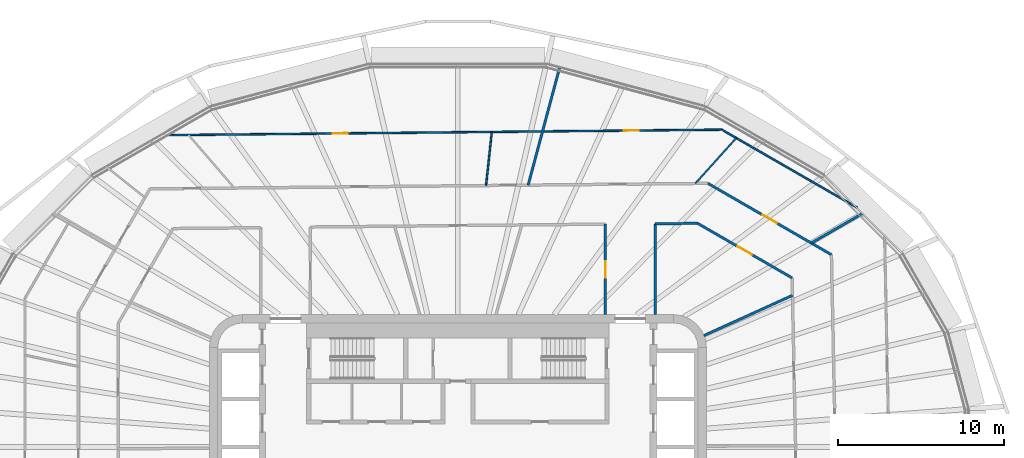
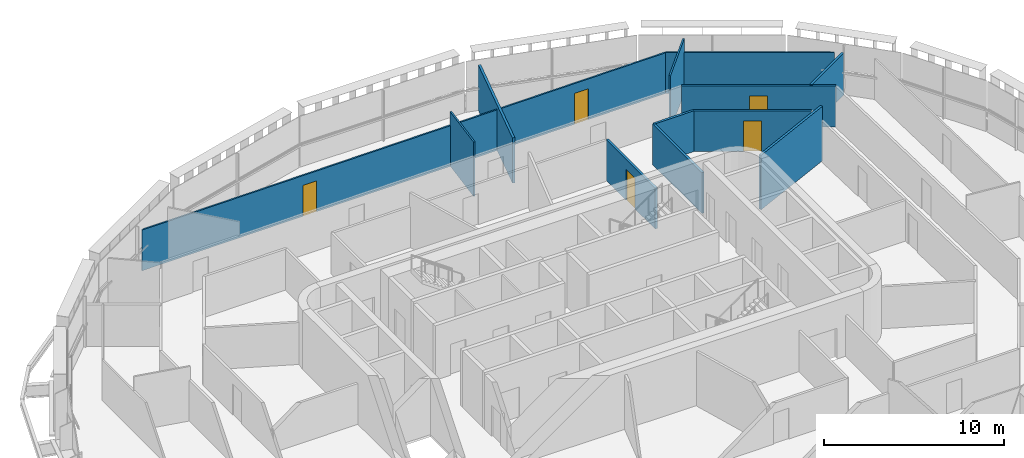
# One storey, part 15 of 23: 12 walls, 5 doors, 5 openings.
"""IFC4 building model written with IfcOpenShell, lengths in metres."""

from ifc_helpers import new_model, si_unit, direction, frame, frame_2d, origin, place, context, subcontext, project, spatial, rectangle, extrude, material, layer, layer_set, type_object, element, fill, save


model = new_model("IFC4")

# Units and contexts
model_context = context("Model", 3, precision=1e-05, world=origin(), true_north=direction((0.0, 1.0)))
body_context = subcontext(model_context, "Body", "Model", "MODEL_VIEW")
ifc_project = project(units=[si_unit("LENGTHUNIT", "METRE"), si_unit("AREAUNIT", "SQUARE_METRE"), si_unit("VOLUMEUNIT", "CUBIC_METRE"), si_unit("PLANEANGLEUNIT", "RADIAN"), si_unit("MASSUNIT", "GRAM", prefix="KILO")], contexts=[model_context])

# Site, building, storey
site_placement = place(None, origin())
site = spatial("IfcSite", under=ifc_project, at=site_placement, CompositionType="ELEMENT")
building_placement = place(site_placement, origin())
building = spatial("IfcBuilding", under=site, at=building_placement, Name="Sahrelin Media Tower", CompositionType="ELEMENT")
storey_placement = place(building_placement, frame((0.0, 0.0, 185.60009765625)))
storey = spatial("IfcBuildingStorey", under=building, at=storey_placement, Name="L39", CompositionType="ELEMENT", Elevation=185.60009765625)

# Wall, opening, door
ifc_material_1 = material(Name="Fire-rated gypsum board partition")
ifc_layer_1 = layer(ifc_material_1, 0.14990234375)
ifc_layer_set_1 = layer_set([ifc_layer_1], Name="Fire-rated partition 150")
wall_type_1 = type_object("IfcWallType", Name="Fire-rated partition 150", PredefinedType="PARTITIONING", material=ifc_layer_set_1)
wall_1_placement = place(storey_placement, frame((14.447998046875, 13.514892578125, 0.0), z_axis=(0.0, 0.0, 1.0), x_axis=(0.866032288321, -0.499988075443, 0.0)))
wall_1 = element("IfcWall", 1, at=wall_1_placement, inside=storey, type_object=wall_type_1, Name="Wall", PredefinedType="PARTITIONING", context=body_context, shape_type="SweptSolid", body=[
    extrude(rectangle(XDim=6.603759765625, YDim=0.14990234375, at=frame_2d((3.3017578125, 0.0))), origin(), (0.0, 0.0, 1.0), 2.77685546875),
])
opening_1_placement = place(wall_1_placement, frame((2.801513671875, 0.0, 0.0)))
opening_1 = element("IfcOpeningElement", 2, at=opening_1_placement, cuts=wall_1, Name="Opening L39-D27", PredefinedType="OPENING", context=body_context, shape_type="SweptSolid", body=[
    extrude(rectangle(XDim=1.0, YDim=2.10009765625, at=frame_2d((0.5, 1.050048828125))), frame((0.0, 0.074951171875, 0.0), z_axis=(0.0, -1.0, 0.0), x_axis=(1.0, 0.0, 0.0)), (0.0, 0.0, 1.0), 0.14990234375),
])
ifc_material_2 = material(Name="Steel fire door leaf", Category="steel")
door_type_1 = type_object("IfcDoorType", Name="Fire door 1000 x 2100 EI 60", OperationType="NOTDEFINED", PredefinedType="DOOR", material=ifc_material_2)
door_1_placement = place(opening_1_placement, origin())
door_1 = element("IfcDoor", 3, at=door_1_placement, inside=storey, type_object=door_type_1, Name="Fire door", OperationType="SINGLE_SWING_RIGHT", OverallHeight=2.10009765625, OverallWidth=1.0, PredefinedType="DOOR", context=body_context, shape_type="SweptSolid", body=[
    extrude(rectangle(XDim=1.0, YDim=2.10009765625, at=frame_2d((0.5, 1.050048828125))), frame((0.0, 0.02490234375, 0.0), z_axis=(0.0, -1.0, 0.0), x_axis=(1.0, 0.0, 0.0)), (0.0, 0.0, 1.0), 0.050048828125),
])
fill(opening_1, door_1)

wall_2_placement = place(storey_placement, frame((15.080078125, 15.921142578125, 0.0), z_axis=(0.0, 0.0, 1.0), x_axis=(0.866020838546, -0.500007907142, 0.0)))
wall_2 = element("IfcWall", 4, at=wall_2_placement, inside=storey, type_object=wall_type_1, Name="Wall", PredefinedType="PARTITIONING", context=body_context, shape_type="SweptSolid", body=[
    extrude(rectangle(XDim=8.612548828125, YDim=0.14990234375, at=frame_2d((4.30615234375, 0.0))), origin(), (0.0, 0.0, 1.0), 2.77685546875),
])
opening_2_placement = place(wall_2_placement, frame((3.807861328125, 0.0, 0.0)))
opening_2 = element("IfcOpeningElement", 5, at=opening_2_placement, cuts=wall_2, Name="Opening L39-D38", PredefinedType="OPENING", context=body_context, shape_type="SweptSolid", body=[
    extrude(rectangle(XDim=1.0, YDim=2.10009765625, at=frame_2d((0.5, 1.050048828125))), frame((0.0, 0.074951171875, 0.0), z_axis=(0.0, -1.0, 0.0), x_axis=(1.0, 0.0, 0.0)), (0.0, 0.0, 1.0), 0.14990234375),
])
door_2_placement = place(opening_2_placement, origin())
door_2 = element("IfcDoor", 6, at=door_2_placement, inside=storey, type_object=door_type_1, Name="Fire door", OperationType="SINGLE_SWING_RIGHT", OverallHeight=2.10009765625, OverallWidth=1.0, PredefinedType="DOOR", context=body_context, shape_type="SweptSolid", body=[
    extrude(rectangle(XDim=1.0, YDim=2.10009765625, at=frame_2d((0.5, 1.050048828125))), frame((0.0, 0.02490234375, 0.0), z_axis=(0.0, -1.0, 0.0), x_axis=(1.0, 0.0, 0.0)), (0.0, 0.0, 1.0), 0.050048828125),
])
fill(opening_2, door_2)

# Walls
wall_3_placement = place(storey_placement, frame((11.89990234375, 13.47998046875, 0.0), z_axis=(0.0, 0.0, 1.0), x_axis=(0.999951307579, 0.009868255694, 0.0)))
element("IfcWall", 7, at=wall_3_placement, inside=storey, type_object=wall_type_1, Name="Wall", PredefinedType="PARTITIONING", context=body_context, shape_type="SweptSolid", body=[
    extrude(rectangle(XDim=2.54833984375, YDim=0.14990234375, at=frame_2d((1.274169921875, 0.0))), origin(), (0.0, 0.0, 1.0), 2.77685546875),
])
wall_4_placement = place(storey_placement, frame((14.843017578125, 6.73291015625, 0.0), z_axis=(0.0, 0.0, 1.0), x_axis=(0.910628361306, 0.413226315214, 0.0)))
element("IfcWall", 8, at=wall_4_placement, inside=storey, type_object=wall_type_1, Name="Wall", PredefinedType="PARTITIONING", context=body_context, shape_type="SweptSolid", body=[
    extrude(rectangle(XDim=5.870361328125, YDim=0.14990234375, at=frame_2d((2.93505859375, 0.0))), origin(), (0.0, 0.0, 1.0), 3.699951171875),
])
wall_5_placement = place(storey_placement, frame((21.3291015625, 12.31396484375, 0.0), z_axis=(0.0, 0.0, 1.0), x_axis=(0.866038125567, 0.499977964579, 0.0)))
element("IfcWall", 9, at=wall_5_placement, inside=storey, type_object=wall_type_1, Name="Wall", PredefinedType="PARTITIONING", context=body_context, shape_type="SweptSolid", body=[
    extrude(rectangle(XDim=3.584228515625, YDim=0.14990234375, at=frame_2d((1.7919921875, 0.0))), origin(), (0.0, 0.0, 1.0), 2.844970703125),
])
wall_6_placement = place(storey_placement, frame((4.237060546875, 15.81298828125, 0.0), z_axis=(0.0, 0.0, 1.0), x_axis=(0.258799155252, 0.965931155539, 0.0)))
element("IfcWall", 10, at=wall_6_placement, inside=storey, type_object=wall_type_1, Name="Wall", PredefinedType="PARTITIONING", context=body_context, shape_type="SweptSolid", body=[
    extrude(rectangle(XDim=7.3525390625, YDim=0.14990234375, at=frame_2d((3.67626953125, 0.0))), origin(), (0.0, 0.0, 1.0), 3.077392578125),
])
wall_7_placement = place(storey_placement, frame((11.89990234375, 8.0, 0.0), z_axis=(0.0, 0.0, 1.0), x_axis=(0.0, 1.0, 0.0)))
element("IfcWall", 11, at=wall_7_placement, inside=storey, type_object=wall_type_1, Name="Wall", PredefinedType="PARTITIONING", context=body_context, shape_type="SweptSolid", body=[
    extrude(rectangle(XDim=5.47900390625, YDim=0.14990234375, at=frame_2d((2.739501953125, 0.0))), origin(), (0.0, 0.0, 1.0), 2.77685546875),
])

# Wall, opening, door
wall_8_placement = place(storey_placement, frame((8.89990234375, 8.0, 0.0), z_axis=(0.0, 0.0, 1.0), x_axis=(0.0, 1.0, 0.0)))
wall_8 = element("IfcWall", 12, at=wall_8_placement, inside=storey, type_object=wall_type_1, Name="Wall", PredefinedType="PARTITIONING", context=body_context, shape_type="SweptSolid", body=[
    extrude(rectangle(XDim=5.4599609375, YDim=0.14990234375, at=frame_2d((2.72998046875, 0.0))), origin(), (0.0, 0.0, 1.0), 2.77685546875),
])
opening_3_placement = place(wall_8_placement, frame((2.22998046875, 0.0, 0.0)))
opening_3 = element("IfcOpeningElement", 13, at=opening_3_placement, cuts=wall_8, Name="Opening L39-D28", PredefinedType="OPENING", context=body_context, shape_type="SweptSolid", body=[
    extrude(rectangle(XDim=1.0, YDim=2.10009765625, at=frame_2d((0.5, 1.050048828125))), frame((0.0, 0.074951171875, 0.0), z_axis=(0.0, -1.0, 0.0), x_axis=(1.0, 0.0, 0.0)), (0.0, 0.0, 1.0), 0.14990234375),
])
door_3_placement = place(opening_3_placement, origin())
door_3 = element("IfcDoor", 14, at=door_3_placement, inside=storey, type_object=door_type_1, Name="Fire door", OperationType="SINGLE_SWING_RIGHT", OverallHeight=2.10009765625, OverallWidth=1.0, PredefinedType="DOOR", context=body_context, shape_type="SweptSolid", body=[
    extrude(rectangle(XDim=1.0, YDim=2.10009765625, at=frame_2d((0.5, 1.050048828125))), frame((0.0, 0.02490234375, 0.0), z_axis=(0.0, -1.0, 0.0), x_axis=(1.0, 0.0, 0.0)), (0.0, 0.0, 1.0), 0.050048828125),
])
fill(opening_3, door_3)

# Wall
ifc_material_3 = material(Name="Gypsum board partition")
ifc_layer_2 = layer(ifc_material_3, 0.10009765625)
ifc_layer_set_2 = layer_set([ifc_layer_2], Name="Partition 100")
wall_type_2 = type_object("IfcWallType", Name="Partition 100", PredefinedType="PARTITIONING", material=ifc_layer_set_2)
wall_9_placement = place(storey_placement, frame((15.930908203125, 19.159912109375, 0.0), z_axis=(0.0, 0.0, 1.0), x_axis=(0.86598056092, -0.500077662076, 0.0)))
element("IfcWall", 15, at=wall_9_placement, inside=storey, type_object=wall_type_2, Name="Wall", PredefinedType="PARTITIONING", context=body_context, shape_type="SweptSolid", body=[
    extrude(rectangle(XDim=9.419921875, YDim=0.10009765625, at=frame_2d((4.7099609375, 0.0))), origin(), (0.0, 0.0, 1.0), 2.77685546875),
])

# Wall, openings, doors
wall_10_placement = place(storey_placement, frame((-17.945068359375, 18.823974609375, 0.0), z_axis=(0.0, 0.0, 1.0), x_axis=(0.999950833273, 0.009916200716, 0.0)))
wall_10 = element("IfcWall", 16, at=wall_10_placement, inside=storey, type_object=wall_type_2, Name="Wall", PredefinedType="PARTITIONING", context=body_context, shape_type="SweptSolid", body=[
    extrude(rectangle(XDim=33.877685546875, YDim=0.10009765625, at=frame_2d((16.93896484375, 0.0))), origin(), (0.0, 0.0, 1.0), 2.76806640625),
])
opening_4_placement = place(wall_10_placement, frame((27.963623046875, 0.0, 0.0)))
opening_4 = element("IfcOpeningElement", 17, at=opening_4_placement, cuts=wall_10, Name="Opening L39-D40", PredefinedType="OPENING", context=body_context, shape_type="SweptSolid", body=[
    extrude(rectangle(XDim=0.89990234375, YDim=2.10009765625, at=frame_2d((0.449951171875, 1.050048828125))), frame((0.0, 0.050048828125, 0.0), z_axis=(0.0, -1.0, 0.0), x_axis=(1.0, 0.0, 0.0)), (0.0, 0.0, 1.0), 0.10009765625),
])
opening_5_placement = place(wall_10_placement, frame((10.3896484375, 0.0, 0.0)))
opening_5 = element("IfcOpeningElement", 18, at=opening_5_placement, cuts=wall_10, Name="Opening L39-D45", PredefinedType="OPENING", context=body_context, shape_type="SweptSolid", body=[
    extrude(rectangle(XDim=0.89990234375, YDim=2.10009765625, at=frame_2d((0.449951171875, 1.050048828125))), frame((0.0, 0.050048828125, 0.0), z_axis=(0.0, -1.0, 0.0), x_axis=(1.0, 0.0, 0.0)), (0.0, 0.0, 1.0), 0.10009765625),
])
ifc_material_4 = material(Name="Timber door leaf", Category="wood")
door_type_2 = type_object("IfcDoorType", Name="Single door 900 x 2100", OperationType="NOTDEFINED", PredefinedType="DOOR", material=ifc_material_4)
door_4_placement = place(opening_4_placement, origin())
door_4 = element("IfcDoor", 19, at=door_4_placement, inside=storey, type_object=door_type_2, Name="Single door", OperationType="SINGLE_SWING_LEFT", OverallHeight=2.10009765625, OverallWidth=0.89990234375, PredefinedType="DOOR", context=body_context, shape_type="SweptSolid", body=[
    extrude(rectangle(XDim=0.89990234375, YDim=2.10009765625, at=frame_2d((0.449951171875, 1.050048828125))), frame((0.0, 0.02490234375, 0.0), z_axis=(0.0, -1.0, 0.0), x_axis=(1.0, 0.0, 0.0)), (0.0, 0.0, 1.0), 0.050048828125),
])
fill(opening_4, door_4)
door_5_placement = place(opening_5_placement, origin())
door_5 = element("IfcDoor", 20, at=door_5_placement, inside=storey, type_object=door_type_2, Name="Single door", OperationType="SINGLE_SWING_RIGHT", OverallHeight=2.10009765625, OverallWidth=0.89990234375, PredefinedType="DOOR", context=body_context, shape_type="SweptSolid", body=[
    extrude(rectangle(XDim=0.89990234375, YDim=2.10009765625, at=frame_2d((0.449951171875, 1.050048828125))), frame((0.0, 0.02490234375, 0.0), z_axis=(0.0, -1.0, 0.0), x_axis=(1.0, 0.0, 0.0)), (0.0, 0.0, 1.0), 0.050048828125),
])
fill(opening_5, door_5)

# Walls
wall_11_placement = place(storey_placement, frame((14.3291015625, 15.9140625, 0.0), z_axis=(0.0, 0.0, 1.0), x_axis=(0.669180226247, 0.74310014453, 0.0)))
element("IfcWall", 21, at=wall_11_placement, inside=storey, type_object=wall_type_2, Name="Wall", PredefinedType="PARTITIONING", context=body_context, shape_type="SweptSolid", body=[
    extrude(rectangle(XDim=3.6923828125, YDim=0.10009765625, at=frame_2d((1.84619140625, 0.0))), origin(), (0.0, 0.0, 1.0), 3.699951171875),
])
wall_12_placement = place(storey_placement, frame((1.696044921875, 15.7880859375, 0.0), z_axis=(0.0, 0.0, 1.0), x_axis=(0.106930547304, 0.994266492472, 0.0)))
element("IfcWall", 22, at=wall_12_placement, inside=storey, type_object=wall_type_2, Name="Wall", PredefinedType="PARTITIONING", context=body_context, shape_type="SweptSolid", body=[
    extrude(rectangle(XDim=3.25341796875, YDim=0.10009765625, at=frame_2d((1.626708984375, 0.0))), origin(), (0.0, 0.0, 1.0), 3.699951171875),
])

save(model, "model.ifc")
